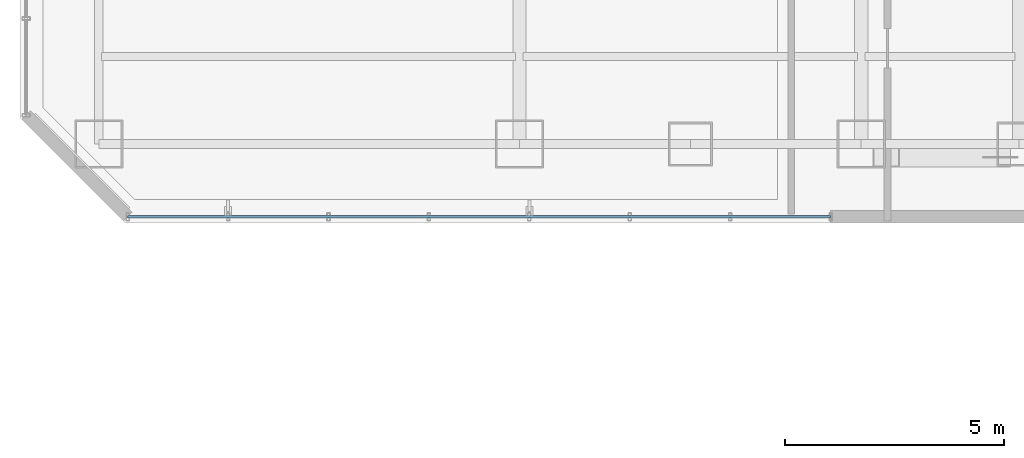
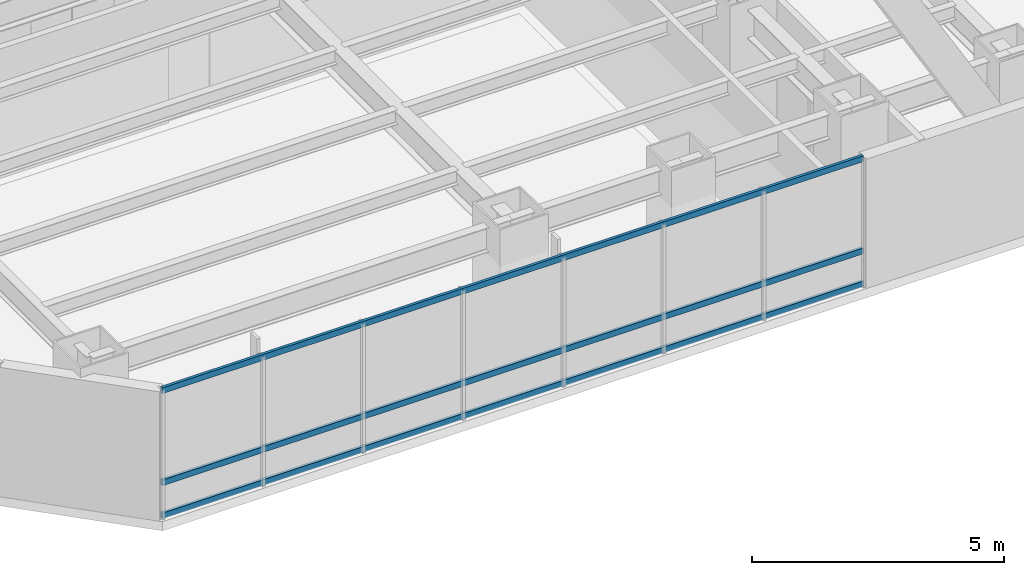
# One storey, part 3 of 33: 3 members, 1 element without a shape of its own.
"""IFC4 building model written with IfcOpenShell, lengths in metres."""

from ifc_helpers import new_model, si_unit, direction, frame, origin, origin_2d, place, context, subcontext, project, spatial, hollow_rectangle, extrude, material, layer, layer_set, material_profile, profile_set, type_object, element, aggregate, save


model = new_model("IFC4")

# Units and contexts
model_context = context("Model", 3, precision=1e-05, world=origin(), true_north=direction((0.0, 1.0)))
body_context = subcontext(model_context, "Body", "Model", "MODEL_VIEW")
ifc_project = project(units=[si_unit("LENGTHUNIT", "METRE"), si_unit("AREAUNIT", "SQUARE_METRE"), si_unit("VOLUMEUNIT", "CUBIC_METRE"), si_unit("PLANEANGLEUNIT", "RADIAN"), si_unit("MASSUNIT", "GRAM", prefix="KILO")], contexts=[model_context])

# Site, building, storey
site_placement = place(None, origin())
site = spatial("IfcSite", under=ifc_project, at=site_placement, CompositionType="ELEMENT")
building_placement = place(site_placement, origin())
building = spatial("IfcBuilding", under=site, at=building_placement, Name="Hatsunagi Terrace Concourse", CompositionType="ELEMENT")
storey_placement = place(building_placement, frame((0.0, 0.0, 56.699951171875)))
storey = spatial("IfcBuildingStorey", under=building, at=storey_placement, Name="L14", CompositionType="ELEMENT", Elevation=56.699951171875)

# Curtain wall, members
ifc_material_1 = material(Name="Anodised Aluminium Alloy 6063-T5", Category="aluminium")
ifc_layer = layer(ifc_material_1, 0.199951171875)
ifc_layer_set = layer_set([ifc_layer], Name="HotelFacade_CW02")
curtain_wall_type = type_object("IfcCurtainWallType", Name="HotelFacade_CW02", PredefinedType="NOTDEFINED", material=ifc_layer_set)
curtain_wall_placement = place(storey_placement, origin())
curtain_wall = element("IfcCurtainWall", 1, at=curtain_wall_placement, inside=storey, type_object=curtain_wall_type, Name="Unitised Curtain Wall CW-02 CW-L14-07", PredefinedType="NOTDEFINED")
ifc_material_2 = material(Name="Anodised Aluminium Alloy 6063-T5", Category="aluminium")
ifc_material_profile = material_profile(ifc_material_2, hollow_rectangle(XDim=0.06494140625, YDim=0.139892578125, WallThickness=0.00390625, at=origin_2d()), Name="ALU-TRN-140x65x4")
ifc_profile_set = profile_set([ifc_material_profile], Name="Anodised Aluminium Alloy 6063-T5")
member_type = type_object("IfcMemberType", Name="CurtainWallTransom_140x65", PredefinedType="USERDEFINED", material=ifc_profile_set)
member_1_placement = place(storey_placement, frame((18.5, 23.5400390625, 0.050048828125), z_axis=(-1.0, 0.0, 0.0), x_axis=(0.0, -1.0, 0.0)))
member_1 = element("IfcMember", 2, at=member_1_placement, type_object=member_type, Name="Curtain Wall Transom TRN-02", ObjectType="TRANSOM", PredefinedType="USERDEFINED", context=body_context, shape_type="SweptSolid", body=[
    extrude(hollow_rectangle(XDim=0.06494140625, YDim=0.139892578125, WallThickness=0.00390625, at=origin_2d()), origin(), (0.0, 0.0, 1.0), 16.0419921875),
])
member_2_placement = place(storey_placement, frame((18.5, 23.5400390625, 0.85009765625), z_axis=(-1.0, 0.0, 0.0), x_axis=(0.0, -1.0, 0.0)))
member_2 = element("IfcMember", 3, at=member_2_placement, type_object=member_type, Name="Curtain Wall Transom TRN-02", ObjectType="TRANSOM", PredefinedType="USERDEFINED", context=body_context, shape_type="SweptSolid", body=[
    extrude(hollow_rectangle(XDim=0.06494140625, YDim=0.139892578125, WallThickness=0.00390625, at=origin_2d()), origin(), (0.0, 0.0, 1.0), 16.0419921875),
])
member_3_placement = place(storey_placement, frame((18.5, 23.5400390625, 3.080078125), z_axis=(-1.0, 0.0, 0.0), x_axis=(0.0, -1.0, 0.0)))
member_3 = element("IfcMember", 4, at=member_3_placement, type_object=member_type, Name="Curtain Wall Transom TRN-02", ObjectType="TRANSOM", PredefinedType="USERDEFINED", context=body_context, shape_type="SweptSolid", body=[
    extrude(hollow_rectangle(XDim=0.06494140625, YDim=0.139892578125, WallThickness=0.00390625, at=origin_2d()), origin(), (0.0, 0.0, 1.0), 16.0419921875),
])
aggregate(curtain_wall, [member_1, member_2, member_3])

save(model, "model.ifc")
